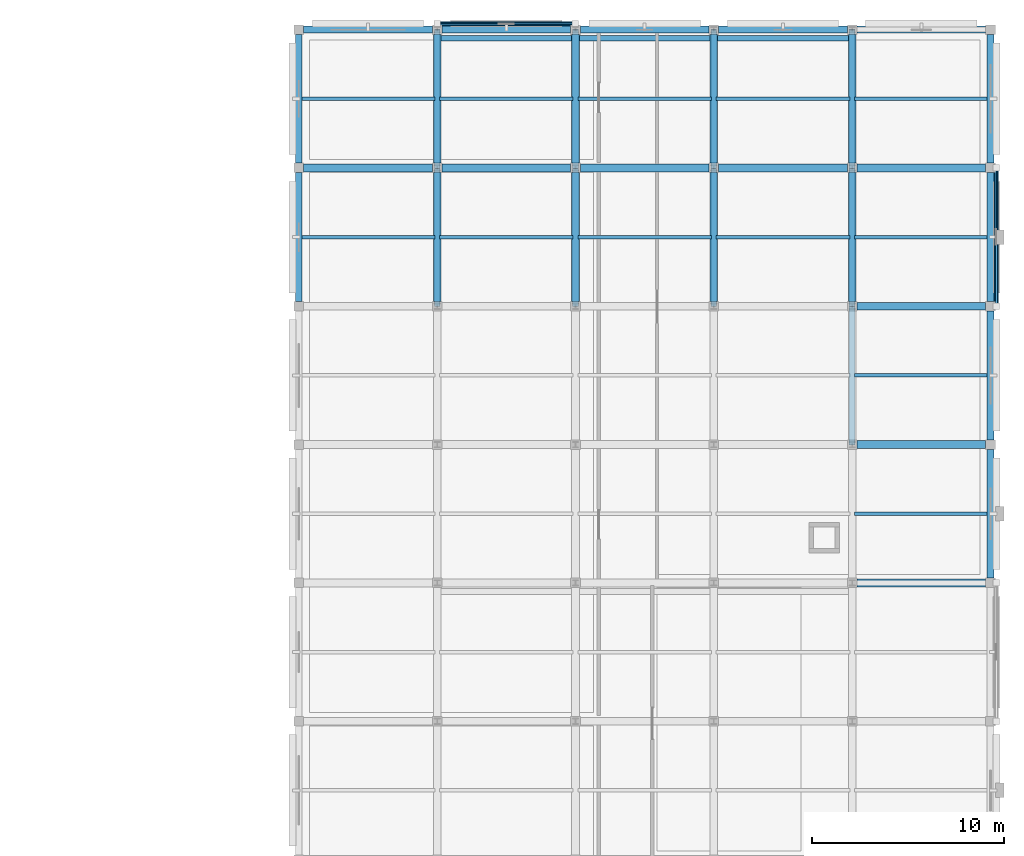
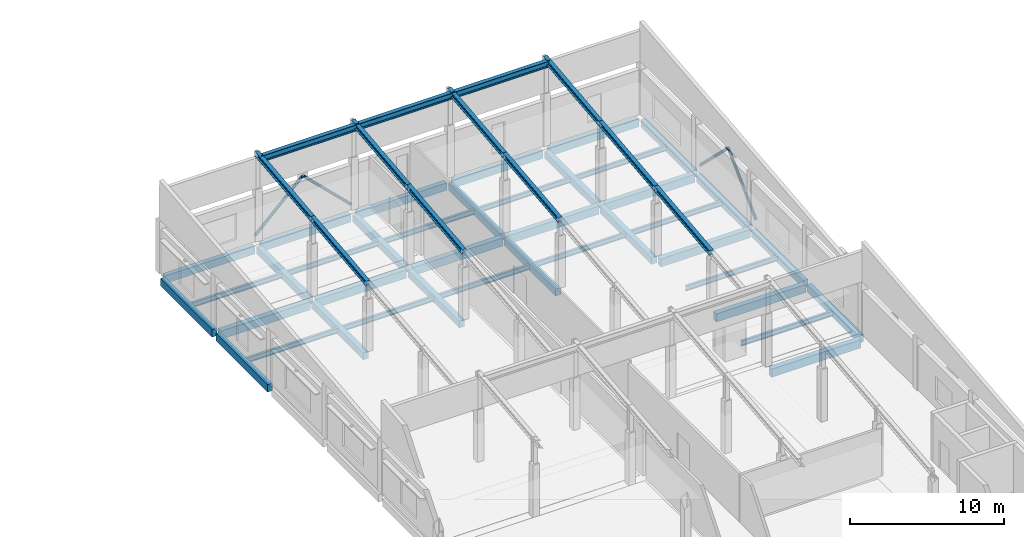
# One storey, part 17 of 33: 49 beams, 4 members.
"""IFC4 building model written with IfcOpenShell, lengths in metres."""

from ifc_helpers import new_model, si_unit, direction, frame, origin, origin_2d, place, context, subcontext, project, spatial, rectangle, hollow_circle, i_section, extrude, material, material_profile, profile_set, type_object, element, save


model = new_model("IFC4")

# Units and contexts
model_context = context("Model", 3, precision=1e-05, world=origin(), true_north=direction((0.0, 1.0)))
body_context = subcontext(model_context, "Body", "Model", "MODEL_VIEW")
ifc_project = project(units=[si_unit("LENGTHUNIT", "METRE"), si_unit("AREAUNIT", "SQUARE_METRE"), si_unit("VOLUMEUNIT", "CUBIC_METRE"), si_unit("PLANEANGLEUNIT", "RADIAN"), si_unit("MASSUNIT", "GRAM", prefix="KILO")], contexts=[model_context])

# Site, building, storey
site_placement = place(None, origin())
site = spatial("IfcSite", under=ifc_project, at=site_placement, CompositionType="ELEMENT")
building_placement = place(site_placement, origin())
building = spatial("IfcBuilding", under=site, at=building_placement, Name="Valkovuoma Quantum and Materials Research Institute", CompositionType="ELEMENT")
storey_placement = place(building_placement, frame((0.0, 0.0, 25.60009765625)))
storey = spatial("IfcBuildingStorey", under=building, at=storey_placement, Name="L06", CompositionType="ELEMENT", Elevation=25.60009765625)

# Beams
ifc_material_1 = material(Name="Steel S355J2", Category="steel")
ifc_material_profile_1 = material_profile(ifc_material_1, i_section(OverallWidth=0.300048828125, OverallDepth=0.389892578125, WebThickness=0.010986328125, FlangeThickness=0.01904296875, FilletRadius=0.027099609375, at=origin_2d()), Name="Steel S355J2")
ifc_profile_set_1 = profile_set([ifc_material_profile_1], Name="Steel S355J2")
beam_type_1 = type_object("IfcBeamType", Name="Beam-B-HEA400", PredefinedType="SPANDREL", material=ifc_profile_set_1)
beam_1_placement = place(storey_placement, frame((136.800048828125, 100.800048828125, 5.260009765625), z_axis=(0.0, 0.994186193468, 0.107674568578), x_axis=(-1.0, 0.0, 0.0)))
element("IfcBeam", 1, at=beam_1_placement, inside=storey, type_object=beam_type_1, Name="L06 wet-lab sloped rafter 2.136.8.3", PredefinedType="SPANDREL", context=body_context, shape_type="SweptSolid", body=[
    extrude(i_section(OverallWidth=0.300048828125, OverallDepth=0.389892578125, WebThickness=0.010986328125, FlangeThickness=0.01904296875, FilletRadius=0.027099609375, at=origin_2d()), origin(), (0.0, 0.0, 1.0), 7.241943359375),
])
beam_2_placement = place(storey_placement, frame((136.800048828125, 108.0, 6.039794921875), z_axis=(0.0, 0.994182584153, 0.107707889063), x_axis=(-1.0, 0.0, 0.0)))
element("IfcBeam", 2, at=beam_2_placement, inside=storey, type_object=beam_type_1, Name="L06 wet-lab sloped rafter 2.136.8.4", PredefinedType="SPANDREL", context=body_context, shape_type="SweptSolid", body=[
    extrude(i_section(OverallWidth=0.300048828125, OverallDepth=0.389892578125, WebThickness=0.010986328125, FlangeThickness=0.01904296875, FilletRadius=0.027099609375, at=origin_2d()), origin(), (0.0, 0.0, 1.0), 7.2421875),
])
beam_3_placement = place(storey_placement, frame((144.0, 100.800048828125, 5.260009765625), z_axis=(0.0, 0.994186193468, 0.107674568578), x_axis=(-1.0, 0.0, 0.0)))
element("IfcBeam", 3, at=beam_3_placement, inside=storey, type_object=beam_type_1, Name="L06 wet-lab sloped rafter 2.144.0.3", PredefinedType="SPANDREL", context=body_context, shape_type="SweptSolid", body=[
    extrude(i_section(OverallWidth=0.300048828125, OverallDepth=0.389892578125, WebThickness=0.010986328125, FlangeThickness=0.01904296875, FilletRadius=0.027099609375, at=origin_2d()), origin(), (0.0, 0.0, 1.0), 7.241943359375),
])
beam_4_placement = place(storey_placement, frame((144.0, 108.0, 6.039794921875), z_axis=(0.0, 0.994182584153, 0.107707889063), x_axis=(-1.0, 0.0, 0.0)))
element("IfcBeam", 4, at=beam_4_placement, inside=storey, type_object=beam_type_1, Name="L06 wet-lab sloped rafter 2.144.0.4", PredefinedType="SPANDREL", context=body_context, shape_type="SweptSolid", body=[
    extrude(i_section(OverallWidth=0.300048828125, OverallDepth=0.389892578125, WebThickness=0.010986328125, FlangeThickness=0.01904296875, FilletRadius=0.027099609375, at=origin_2d()), origin(), (0.0, 0.0, 1.0), 7.2421875),
])
beam_5_placement = place(storey_placement, frame((151.199951171875, 100.800048828125, 5.260009765625), z_axis=(0.0, 0.994186193468, 0.107674568578), x_axis=(-1.0, 0.0, 0.0)))
element("IfcBeam", 5, at=beam_5_placement, inside=storey, type_object=beam_type_1, Name="L06 wet-lab sloped rafter 2.151.2.3", PredefinedType="SPANDREL", context=body_context, shape_type="SweptSolid", body=[
    extrude(i_section(OverallWidth=0.300048828125, OverallDepth=0.389892578125, WebThickness=0.010986328125, FlangeThickness=0.01904296875, FilletRadius=0.027099609375, at=origin_2d()), origin(), (0.0, 0.0, 1.0), 7.241943359375),
])
for number, where, z_axis, x_axis, name in (
    (6, (151.199951171875, 108.0, 6.039794921875), (0.0, 0.994182584153, 0.107707889063), (-1.0, 0.0, 0.0), "L06 wet-lab sloped rafter 2.151.2.4"),
    (7, (158.39990234375, 93.60009765625, 4.47998046875), (0.0, 0.994182584153, 0.107707889063), (-1.0, 0.0, 0.0), "L06 wet-lab sloped rafter 2.158.4.2"),
):
    element("IfcBeam", number, at=place(storey_placement, frame(where, z_axis=z_axis, x_axis=x_axis)), inside=storey, type_object=beam_type_1, Name=name, PredefinedType="SPANDREL", context=body_context, shape_type="SweptSolid", body=[
        extrude(i_section(OverallWidth=0.300048828125, OverallDepth=0.389892578125, WebThickness=0.010986328125, FlangeThickness=0.01904296875, FilletRadius=0.027099609375, at=origin_2d()), origin(), (0.0, 0.0, 1.0), 7.2421875),
    ])
beam_6_placement = place(storey_placement, frame((158.39990234375, 100.800048828125, 5.260009765625), z_axis=(0.0, 0.994186193468, 0.107674568578), x_axis=(-1.0, 0.0, 0.0)))
element("IfcBeam", 8, at=beam_6_placement, inside=storey, type_object=beam_type_1, Name="L06 wet-lab sloped rafter 2.158.4.3", PredefinedType="SPANDREL", context=body_context, shape_type="SweptSolid", body=[
    extrude(i_section(OverallWidth=0.300048828125, OverallDepth=0.389892578125, WebThickness=0.010986328125, FlangeThickness=0.01904296875, FilletRadius=0.027099609375, at=origin_2d()), origin(), (0.0, 0.0, 1.0), 7.241943359375),
])
beam_7_placement = place(storey_placement, frame((158.39990234375, 108.0, 6.039794921875), z_axis=(0.0, 0.994182584153, 0.107707889063), x_axis=(-1.0, 0.0, 0.0)))
element("IfcBeam", 9, at=beam_7_placement, inside=storey, type_object=beam_type_1, Name="L06 wet-lab sloped rafter 2.158.4.4", PredefinedType="SPANDREL", context=body_context, shape_type="SweptSolid", body=[
    extrude(i_section(OverallWidth=0.300048828125, OverallDepth=0.389892578125, WebThickness=0.010986328125, FlangeThickness=0.01904296875, FilletRadius=0.027099609375, at=origin_2d()), origin(), (0.0, 0.0, 1.0), 7.2421875),
])
ifc_material_2 = material(Name="Steel S355J2", Category="steel")
ifc_material_profile_2 = material_profile(ifc_material_2, i_section(OverallWidth=0.300048828125, OverallDepth=0.5, WebThickness=0.014404296875, FlangeThickness=0.028076171875, FilletRadius=0.027099609375, at=origin_2d()), Name="Steel S355J2")
ifc_profile_set_2 = profile_set([ifc_material_profile_2], Name="Steel S355J2")
beam_type_2 = type_object("IfcBeamType", Name="Beam-B-HEB500", PredefinedType="BEAM", material=ifc_profile_set_2)
beam_8_placement = place(storey_placement, frame((136.800048828125, 114.75, 6.711181640625), z_axis=(1.0, 0.0, 0.0), x_axis=(0.0, 1.0, 0.0)))
element("IfcBeam", 10, at=beam_8_placement, inside=storey, type_object=beam_type_2, Name="L06 wet-lab north-light continuous ridge girder 2", PredefinedType="BEAM", context=body_context, shape_type="SweptSolid", body=[
    extrude(i_section(OverallWidth=0.300048828125, OverallDepth=0.5, WebThickness=0.014404296875, FlangeThickness=0.028076171875, FilletRadius=0.027099609375, at=origin_2d()), origin(), (0.0, 0.0, 1.0), 21.599853515625),
])
ifc_material_3 = material(Name="Steel S355J2", Category="steel")
ifc_material_profile_3 = material_profile(ifc_material_3, i_section(OverallWidth=0.179931640625, OverallDepth=0.39990234375, WebThickness=0.008544921875, FlangeThickness=0.013427734375, FilletRadius=0.02099609375, at=origin_2d()), Name="Steel S355J2")
ifc_profile_set_3 = profile_set([ifc_material_profile_3], Name="Steel S355J2")
beam_type_3 = type_object("IfcBeamType", Name="Beam-B-JST400", PredefinedType="JOIST", material=ifc_profile_set_3)
for number, where, z_axis, x_axis, name in (
    (11, (158.52001953125, 90.0, -0.550048828125), (1.0, 0.0, 0.0), (0.0, 1.0, 0.0), "L06 floor joist 2476"),
    (12, (158.52001953125, 97.199951171875, -0.550048828125), (1.0, 0.0, 0.0), (0.0, 1.0, 0.0), "L06 floor joist 2481"),
    (13, (129.719970703125, 104.39990234375, -0.550048828125), (1.0, 0.0, 0.0), (0.0, 1.0, 0.0), "L06 floor joist 2482"),
    (14, (136.919921875, 104.39990234375, -0.550048828125), (1.0, 0.0, 0.0), (0.0, 1.0, 0.0), "L06 floor joist 2483"),
    (15, (144.1201171875, 104.39990234375, -0.550048828125), (1.0, 0.0, 0.0), (0.0, 1.0, 0.0), "L06 floor joist 2484"),
    (16, (151.320068359375, 104.39990234375, -0.550048828125), (1.0, 0.0, 0.0), (0.0, 1.0, 0.0), "L06 floor joist 2485"),
    (17, (158.52001953125, 104.39990234375, -0.550048828125), (1.0, 0.0, 0.0), (0.0, 1.0, 0.0), "L06 floor joist 2486"),
    (18, (129.719970703125, 111.60009765625, -0.550048828125), (1.0, 0.0, 0.0), (0.0, 1.0, 0.0), "L06 floor joist 2487"),
    (19, (136.919921875, 111.60009765625, -0.550048828125), (1.0, 0.0, 0.0), (0.0, 1.0, 0.0), "L06 floor joist 2488"),
    (20, (144.1201171875, 111.60009765625, -0.550048828125), (1.0, 0.0, 0.0), (0.0, 1.0, 0.0), "L06 floor joist 2489"),
    (21, (151.320068359375, 111.60009765625, -0.550048828125), (1.0, 0.0, 0.0), (0.0, 1.0, 0.0), "L06 floor joist 2490"),
    (22, (158.52001953125, 111.60009765625, -0.550048828125), (1.0, 0.0, 0.0), (0.0, 1.0, 0.0), "L06 floor joist 2491"),
):
    element("IfcBeam", number, at=place(storey_placement, frame(where, z_axis=z_axis, x_axis=x_axis)), inside=storey, type_object=beam_type_3, Name=name, PredefinedType="JOIST", context=body_context, shape_type="SweptSolid", body=[
        extrude(i_section(OverallWidth=0.179931640625, OverallDepth=0.39990234375, WebThickness=0.008544921875, FlangeThickness=0.013427734375, FilletRadius=0.02099609375, at=origin_2d()), origin(), (0.0, 0.0, 1.0), 6.9599609375),
    ])
ifc_material_4 = material(Name="Concrete C40/50", Category="concrete")
ifc_material_profile_4 = material_profile(ifc_material_4, rectangle(XDim=0.39990234375, YDim=0.550048828125, at=origin_2d()), Name="Concrete C40/50")
ifc_profile_set_4 = profile_set([ifc_material_profile_4], Name="Concrete C40/50")
beam_type_4 = type_object("IfcBeamType", Name="Beam-B-RC550", PredefinedType="BEAM", material=ifc_profile_set_4)
for number, where, z_axis, x_axis, name in (
    (23, (136.800048828125, 101.050048828125, -0.625), (0.0, 1.0, 0.0), (-1.0, 0.0, 0.0), "L06 beam Y-2411"),
    (24, (136.800048828125, 108.25, -0.625), (0.0, 1.0, 0.0), (-1.0, 0.0, 0.0), "L06 beam Y-2412"),
    (25, (144.0, 101.050048828125, -0.625), (0.0, 1.0, 0.0), (-1.0, 0.0, 0.0), "L06 beam Y-2419"),
    (26, (144.0, 108.25, -0.625), (0.0, 1.0, 0.0), (-1.0, 0.0, 0.0), "L06 beam Y-2420"),
    (27, (151.199951171875, 101.050048828125, -0.625), (0.0, 1.0, 0.0), (-1.0, 0.0, 0.0), "L06 beam Y-2427"),
    (28, (151.199951171875, 108.25, -0.625), (0.0, 1.0, 0.0), (-1.0, 0.0, 0.0), "L06 beam Y-2428"),
    (29, (158.39990234375, 101.050048828125, -0.625), (0.0, 1.0, 0.0), (-1.0, 0.0, 0.0), "L06 beam Y-2435"),
    (30, (158.39990234375, 108.25, -0.625), (0.0, 1.0, 0.0), (-1.0, 0.0, 0.0), "L06 beam Y-2436"),
):
    element("IfcBeam", number, at=place(storey_placement, frame(where, z_axis=z_axis, x_axis=x_axis)), inside=storey, type_object=beam_type_4, Name=name, PredefinedType="BEAM", context=body_context, shape_type="SweptSolid", body=[
        extrude(rectangle(XDim=0.39990234375, YDim=0.550048828125, at=origin_2d()), origin(), (0.0, 0.0, 1.0), 6.699951171875),
    ])
ifc_material_5 = material(Name="Concrete C40/50", Category="concrete")
ifc_material_profile_5 = material_profile(ifc_material_5, rectangle(XDim=0.39990234375, YDim=0.64990234375, at=origin_2d()), Name="Concrete C40/50")
ifc_profile_set_5 = profile_set([ifc_material_profile_5], Name="Concrete C40/50")
beam_type_5 = type_object("IfcBeamType", Name="Beam-B-RC650", PredefinedType="BEAM", material=ifc_profile_set_5)
for number, where, z_axis, x_axis, name in (
    (31, (158.64990234375, 86.39990234375, -0.675048828125), (1.0, 0.0, 0.0), (0.0, 1.0, 0.0), "L06 beam X-2361"),
    (32, (158.64990234375, 93.60009765625, -0.675048828125), (1.0, 0.0, 0.0), (0.0, 1.0, 0.0), "L06 beam X-2368"),
    (33, (158.64990234375, 100.800048828125, -0.675048828125), (1.0, 0.0, 0.0), (0.0, 1.0, 0.0), "L06 beam X-2373"),
):
    element("IfcBeam", number, at=place(storey_placement, frame(where, z_axis=z_axis, x_axis=x_axis)), inside=storey, type_object=beam_type_5, Name=name, PredefinedType="BEAM", context=body_context, shape_type="SweptSolid", body=[
        extrude(rectangle(XDim=0.39990234375, YDim=0.64990234375, at=origin_2d()), origin(), (0.0, 0.0, 1.0), 6.7001953125),
    ])
for number, where, z_axis, x_axis, name in (
    (34, (129.85009765625, 108.0, -0.675048828125), (1.0, 0.0, 0.0), (0.0, 1.0, 0.0), "L06 beam X-2374"),
    (35, (137.050048828125, 108.0, -0.675048828125), (1.0, 0.0, 0.0), (0.0, 1.0, 0.0), "L06 beam X-2375"),
    (36, (144.25, 108.0, -0.675048828125), (1.0, 0.0, 0.0), (0.0, 1.0, 0.0), "L06 beam X-2376"),
    (37, (151.449951171875, 108.0, -0.675048828125), (1.0, 0.0, 0.0), (0.0, 1.0, 0.0), "L06 beam X-2377"),
):
    element("IfcBeam", number, at=place(storey_placement, frame(where, z_axis=z_axis, x_axis=x_axis)), inside=storey, type_object=beam_type_5, Name=name, PredefinedType="BEAM", context=body_context, shape_type="SweptSolid", body=[
        extrude(rectangle(XDim=0.39990234375, YDim=0.64990234375, at=origin_2d()), origin(), (0.0, 0.0, 1.0), 6.699951171875),
    ])
beam_9_placement = place(storey_placement, frame((158.64990234375, 108.0, -0.675048828125), z_axis=(1.0, 0.0, 0.0), x_axis=(0.0, 1.0, 0.0)))
element("IfcBeam", 38, at=beam_9_placement, inside=storey, type_object=beam_type_5, Name="L06 beam X-2378", PredefinedType="BEAM", context=body_context, shape_type="SweptSolid", body=[
    extrude(rectangle(XDim=0.39990234375, YDim=0.64990234375, at=origin_2d()), origin(), (0.0, 0.0, 1.0), 6.7001953125),
])
ifc_material_6 = material(Name="Concrete C40/50", Category="concrete")
ifc_material_profile_6 = material_profile(ifc_material_6, rectangle(XDim=0.35009765625, YDim=0.60009765625, at=origin_2d()), Name="Concrete C40/50")
ifc_profile_set_6 = profile_set([ifc_material_profile_6], Name="Concrete C40/50")
beam_type_6 = type_object("IfcBeamType", Name="Beam-B-SPN600", PredefinedType="SPANDREL", material=ifc_profile_set_6)
for number, where, z_axis, x_axis, name in (
    (39, (129.85009765625, 115.199951171875, -0.650146484375), (1.0, 0.0, 0.0), (0.0, 1.0, 0.0), "L06 beam X-2379"),
    (40, (137.050048828125, 115.199951171875, -0.650146484375), (1.0, 0.0, 0.0), (0.0, 1.0, 0.0), "L06 beam X-2380"),
    (41, (144.25, 115.199951171875, -0.650146484375), (1.0, 0.0, 0.0), (0.0, 1.0, 0.0), "L06 beam X-2381"),
    (42, (151.449951171875, 115.199951171875, -0.650146484375), (1.0, 0.0, 0.0), (0.0, 1.0, 0.0), "L06 beam X-2382"),
):
    element("IfcBeam", number, at=place(storey_placement, frame(where, z_axis=z_axis, x_axis=x_axis)), inside=storey, type_object=beam_type_6, Name=name, PredefinedType="SPANDREL", context=body_context, shape_type="SweptSolid", body=[
        extrude(rectangle(XDim=0.35009765625, YDim=0.60009765625, at=origin_2d()), origin(), (0.0, 0.0, 1.0), 6.699951171875),
    ])
beam_10_placement = place(storey_placement, frame((158.64990234375, 115.199951171875, -0.650146484375), z_axis=(1.0, 0.0, 0.0), x_axis=(0.0, 1.0, 0.0)))
element("IfcBeam", 43, at=beam_10_placement, inside=storey, type_object=beam_type_6, Name="L06 beam X-2383", PredefinedType="SPANDREL", context=body_context, shape_type="SweptSolid", body=[
    extrude(rectangle(XDim=0.35009765625, YDim=0.60009765625, at=origin_2d()), origin(), (0.0, 0.0, 1.0), 6.7001953125),
])
for number, where, z_axis, x_axis, name in (
    (44, (129.60009765625, 101.050048828125, -0.650146484375), (0.0, 1.0, 0.0), (-1.0, 0.0, 0.0), "L06 beam Y-2403"),
    (45, (129.60009765625, 108.25, -0.650146484375), (0.0, 1.0, 0.0), (-1.0, 0.0, 0.0), "L06 beam Y-2404"),
):
    element("IfcBeam", number, at=place(storey_placement, frame(where, z_axis=z_axis, x_axis=x_axis)), inside=storey, type_object=beam_type_6, Name=name, PredefinedType="SPANDREL", context=body_context, shape_type="SweptSolid", body=[
        extrude(rectangle(XDim=0.35009765625, YDim=0.60009765625, at=origin_2d()), origin(), (0.0, 0.0, 1.0), 6.699951171875),
    ])
beam_11_placement = place(storey_placement, frame((165.60009765625, 86.64990234375, -0.650146484375), z_axis=(0.0, 1.0, 0.0), x_axis=(-1.0, 0.0, 0.0)))
element("IfcBeam", 46, at=beam_11_placement, inside=storey, type_object=beam_type_6, Name="L06 beam Y-2439", PredefinedType="SPANDREL", context=body_context, shape_type="SweptSolid", body=[
    extrude(rectangle(XDim=0.35009765625, YDim=0.60009765625, at=origin_2d()), origin(), (0.0, 0.0, 1.0), 6.7001953125),
])
for number, where, z_axis, x_axis, name in (
    (47, (165.60009765625, 93.85009765625, -0.650146484375), (0.0, 1.0, 0.0), (-1.0, 0.0, 0.0), "L06 beam Y-2440"),
    (48, (165.60009765625, 101.050048828125, -0.650146484375), (0.0, 1.0, 0.0), (-1.0, 0.0, 0.0), "L06 beam Y-2441"),
    (49, (165.60009765625, 108.25, -0.650146484375), (0.0, 1.0, 0.0), (-1.0, 0.0, 0.0), "L06 beam Y-2442"),
):
    element("IfcBeam", number, at=place(storey_placement, frame(where, z_axis=z_axis, x_axis=x_axis)), inside=storey, type_object=beam_type_6, Name=name, PredefinedType="SPANDREL", context=body_context, shape_type="SweptSolid", body=[
        extrude(rectangle(XDim=0.35009765625, YDim=0.60009765625, at=origin_2d()), origin(), (0.0, 0.0, 1.0), 6.699951171875),
    ])

# Members
ifc_material_7 = material(Name="Steel S355J2H", Category="steel")
ifc_material_profile_7 = material_profile(ifc_material_7, hollow_circle(Radius=0.109619140625, WallThickness=0.010009765625, at=origin_2d()), Name="Steel S355J2H")
ifc_profile_set_7 = profile_set([ifc_material_profile_7], Name="Steel S355J2H")
member_type = type_object("IfcMemberType", Name="Mem-M-BRC219", PredefinedType="BRACE", material=ifc_profile_set_7)
member_1_placement = place(storey_placement, frame((165.89990234375, 100.800048828125, 0.099853515625), z_axis=(0.0, 0.715984969996, 0.69811569438), x_axis=(-1.0, 0.0, 0.0)))
element("IfcMember", 50, at=member_1_placement, inside=storey, type_object=member_type, Name="L06 chevron wind brace 20A", PredefinedType="BRACE", context=body_context, shape_type="SweptSolid", body=[
    extrude(hollow_circle(Radius=0.109619140625, WallThickness=0.010009765625, at=origin_2d()), origin(), (0.0, 0.0, 1.0), 5.02783203125),
])
member_2_placement = place(storey_placement, frame((165.89990234375, 108.0, 0.099853515625), z_axis=(0.0, -0.716008634166, 0.698091423668), x_axis=(1.0, 0.0, 0.0)))
element("IfcMember", 51, at=member_2_placement, inside=storey, type_object=member_type, Name="L06 chevron wind brace 20B", PredefinedType="BRACE", context=body_context, shape_type="SweptSolid", body=[
    extrude(hollow_circle(Radius=0.109619140625, WallThickness=0.010009765625, at=origin_2d()), origin(), (0.0, 0.0, 1.0), 5.028076171875),
])
member_3_placement = place(storey_placement, frame((136.800048828125, 115.5, 0.099853515625), z_axis=(0.715984969996, 0.0, 0.69811569438), x_axis=(0.0, 1.0, 0.0)))
element("IfcMember", 52, at=member_3_placement, inside=storey, type_object=member_type, Name="L06 chevron wind brace 26A", PredefinedType="BRACE", context=body_context, shape_type="SweptSolid", body=[
    extrude(hollow_circle(Radius=0.109619140625, WallThickness=0.010009765625, at=origin_2d()), origin(), (0.0, 0.0, 1.0), 5.02783203125),
])
member_4_placement = place(storey_placement, frame((144.0, 115.5, 0.099853515625), z_axis=(-0.716008634166, 0.0, 0.698091423668), x_axis=(0.0, -1.0, 0.0)))
element("IfcMember", 53, at=member_4_placement, inside=storey, type_object=member_type, Name="L06 chevron wind brace 26B", PredefinedType="BRACE", context=body_context, shape_type="SweptSolid", body=[
    extrude(hollow_circle(Radius=0.109619140625, WallThickness=0.010009765625, at=origin_2d()), origin(), (0.0, 0.0, 1.0), 5.028076171875),
])

save(model, "model.ifc")
